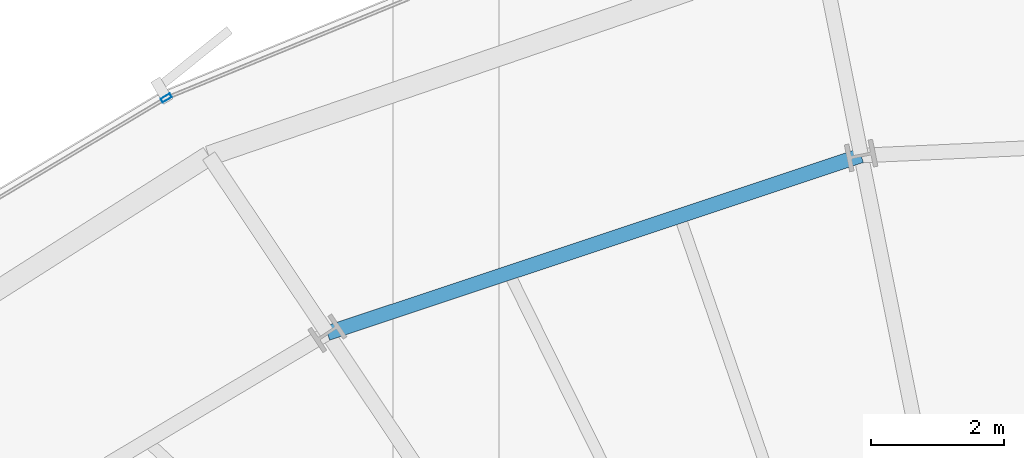
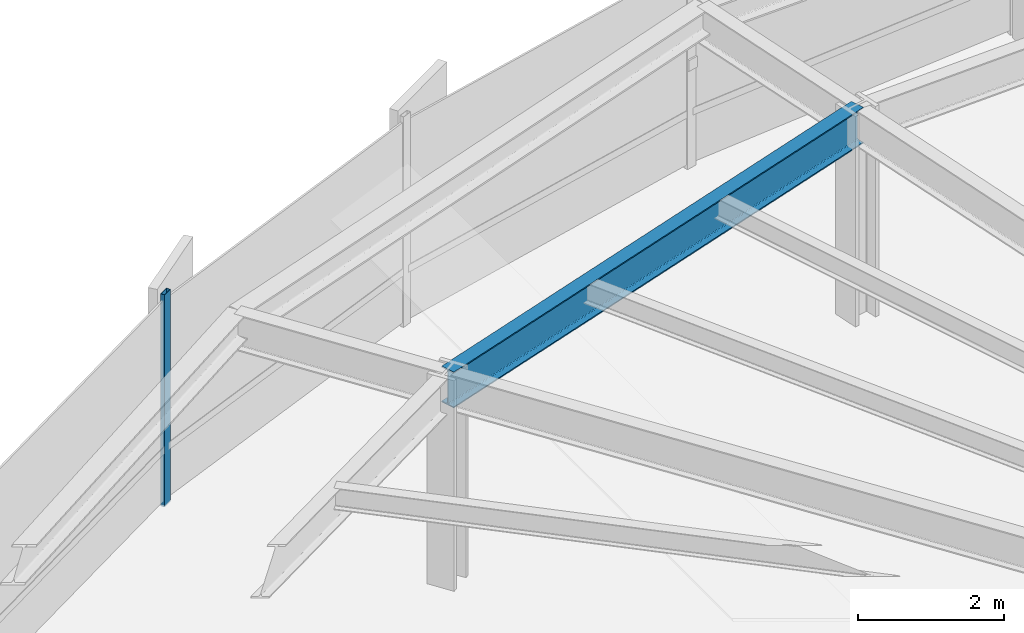
# One storey, part 20 of 35: 1 beam, 1 member, 1 element without a shape of its own.
"""IFC4 building model written with IfcOpenShell, lengths in metres."""

from ifc_helpers import new_model, si_unit, direction, frame, origin, origin_2d, place, context, subcontext, project, spatial, hollow_rectangle, i_section, extrude, source, transform, mapped, material, layer, layer_set, material_profile, profile_set, type_object, element, aggregate, save


model = new_model("IFC4")

# Units and contexts
model_context = context("Model", 3, precision=1e-05, world=origin(), true_north=direction((0.0, 1.0)))
body_context = subcontext(model_context, "Body", "Model", "MODEL_VIEW")
ifc_project = project(units=[si_unit("LENGTHUNIT", "METRE"), si_unit("AREAUNIT", "SQUARE_METRE"), si_unit("VOLUMEUNIT", "CUBIC_METRE"), si_unit("PLANEANGLEUNIT", "RADIAN"), si_unit("MASSUNIT", "GRAM", prefix="KILO"), si_unit("THERMODYNAMICTEMPERATUREUNIT", "KELVIN")], contexts=[model_context])

# Site, building, storey
site_placement = place(None, origin())
site = spatial("IfcSite", under=ifc_project, at=site_placement, CompositionType="ELEMENT")
building_placement = place(site_placement, origin())
building = spatial("IfcBuilding", under=site, at=building_placement, Name="Kethvar Cultural Tower", CompositionType="ELEMENT")
storey_placement = place(building_placement, frame((0.0, 0.0, 71.39990234375)))
storey = spatial("IfcBuildingStorey", under=building, at=storey_placement, Name="L17", CompositionType="ELEMENT", Elevation=71.39990234375)

# Beam
ifc_material_1 = material(Name="Steel S355J2", Category="steel")
ifc_material_profile_1 = material_profile(ifc_material_1, i_section(OverallWidth=0.219970703125, OverallDepth=0.60009765625, WebThickness=0.011962890625, FlangeThickness=0.01904296875, FilletRadius=0.02392578125, at=origin_2d()), Name="Steel S355J2 — IPE600")
ifc_profile_set_1 = profile_set([ifc_material_profile_1], Name="Steel S355J2 — IPE600")
beam_type = type_object("IfcBeamType", Name="BM-IPE600", PredefinedType="BEAM", material=ifc_profile_set_1)
shared_shape_1 = source(origin(), body_context, "Body", "SweptSolid", [
    extrude(i_section(OverallWidth=0.219970703125, OverallDepth=0.60009765625, WebThickness=0.011962890625, FlangeThickness=0.01904296875, FilletRadius=0.02392578125, at=origin_2d()), origin(), (0.0, 0.0, 1.0), 8.437744140625),
])
beam_placement = place(storey_placement, frame((42.651611328125, 48.65576171875, 3.238037109375), z_axis=(-0.948772955115, -0.315958667618, 0.0), x_axis=(0.315958667618, -0.948772955115, 0.0)))
element("IfcBeam", 1, at=beam_placement, inside=storey, type_object=beam_type, Name="L17 Column Ring Tie Beam CR-05", PredefinedType="BEAM", context=body_context, shape_type="MappedRepresentation", body=[
    mapped(shared_shape_1, transform((0.0, 0.0, 0.0), scale=1.0)),
])

# Curtain wall, member
ifc_material_2 = material(Name="Aluminium 6063-T6", Category="aluminium")
ifc_layer = layer(ifc_material_2, 0.179931640625, Name="Aluminium 6063-T6", Category="aluminium")
ifc_layer_set = layer_set([ifc_layer], Name="Aluminium 6063-T6 (180 mm)")
curtain_wall_type = type_object("IfcCurtainWallType", Name="CW-SYS-02-Z1", PredefinedType="NOTDEFINED", material=ifc_layer_set)
curtain_wall_placement = place(storey_placement, origin())
curtain_wall = element("IfcCurtainWall", 2, at=curtain_wall_placement, inside=storey, type_object=curtain_wall_type, Name="L17 Curtain Wall Run 02", PredefinedType="NOTDEFINED")
ifc_material_profile_2 = material_profile(ifc_material_2, hollow_rectangle(XDim=0.06494140625, YDim=0.159912109375, WallThickness=0.0048828125, at=origin_2d()), Name="Aluminium 6063-T6 — RHS160x65x5")
ifc_profile_set_2 = profile_set([ifc_material_profile_2], Name="Aluminium 6063-T6 — RHS160x65x5")
member_type = type_object("IfcMemberType", Name="CW-SYS-02-Z1-MUL", PredefinedType="MULLION", material=ifc_profile_set_2)
shared_shape_2 = source(origin(), body_context, "Body", "SweptSolid", [
    extrude(hollow_rectangle(XDim=0.06494140625, YDim=0.159912109375, WallThickness=0.0048828125, at=origin_2d()), origin(), (0.0, 0.0, 1.0), 3.5400390625),
])
member_placement = place(storey_placement, frame((32.230712890625, 49.518798828125, 0.0), z_axis=(0.0, 0.0, 1.0), x_axis=(0.512342667236, -0.858781107925, 0.0)))
member = element("IfcMember", 3, at=member_placement, type_object=member_type, Name="CW-L17-R02 Mullion 6", PredefinedType="MULLION", context=body_context, shape_type="MappedRepresentation", body=[
    mapped(shared_shape_2, transform((0.0, 0.0, 0.0), scale=1.0)),
])
aggregate(curtain_wall, [member])

save(model, "model.ifc")
